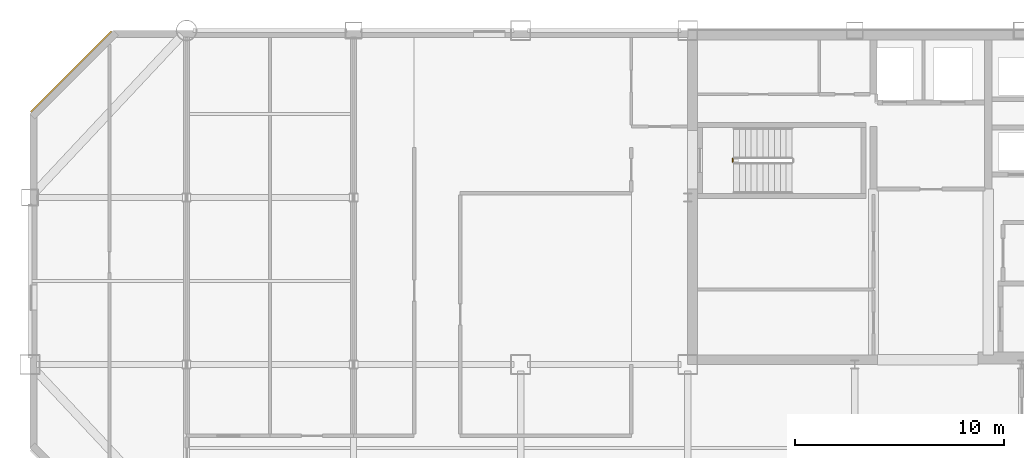
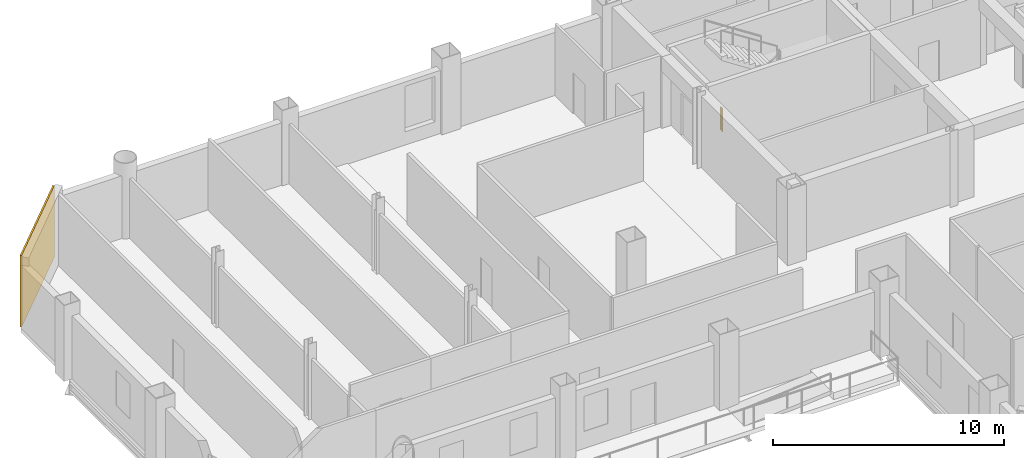
# One storey, part 13 of 14: 1 covering, 1 railing.
"""IFC4 building model written with IfcOpenShell, lengths in metres."""

from ifc_helpers import new_model, si_unit, direction, frame, origin, origin_2d, place, context, subcontext, project, spatial, rectangle, circle, extrude, material, layer, layer_set, type_object, element, save


model = new_model("IFC4")

# Units and contexts
model_context = context("Model", 3, precision=1e-05, world=origin(), true_north=direction((0.0, 1.0)))
body_context = subcontext(model_context, "Body", "Model", "MODEL_VIEW")
ifc_project = project(units=[si_unit("LENGTHUNIT", "METRE"), si_unit("AREAUNIT", "SQUARE_METRE"), si_unit("VOLUMEUNIT", "CUBIC_METRE"), si_unit("PLANEANGLEUNIT", "RADIAN"), si_unit("MASSUNIT", "GRAM", prefix="KILO")], contexts=[model_context])

# Site, building, storey
site_placement = place(None, origin())
site = spatial("IfcSite", under=ifc_project, at=site_placement, CompositionType="ELEMENT")
building_placement = place(site_placement, origin())
building = spatial("IfcBuilding", under=site, at=building_placement, Name="Qianrong Seaharbour Tower", CompositionType="ELEMENT")
storey_placement = place(building_placement, frame((0.0, 0.0, 209.800048828125)))
storey = spatial("IfcBuildingStorey", under=building, at=storey_placement, Name="L50", CompositionType="ELEMENT", Elevation=209.800048828125)

# Covering
ifc_material_1 = material(Name="Unitised red brick cladding on Precast concrete C45/55", Category="masonry")
ifc_layer = layer(ifc_material_1, 0.080078125)
ifc_layer_set = layer_set([ifc_layer], Name="Unitised red brick cladding on Precast concrete C45/55")
covering_type = type_object("IfcCoveringType", Name="COV-CLAD-RED-BRICK-80", PredefinedType="CLADDING", material=ifc_layer_set)
covering_placement = place(storey_placement, frame((10.9716796875, 50.0283203125, 0.0), z_axis=(0.0, 0.0, 1.0), x_axis=(0.707106781187, 0.707106781187, 0.0)))
element("IfcCovering", 1, at=covering_placement, inside=storey, type_object=covering_type, Name="L50 Chamfer Corner Brick Cladding 04", PredefinedType="CLADDING", context=body_context, shape_type="SweptSolid", body=[
    extrude(rectangle(XDim=5.456787109375, YDim=0.080078125, at=origin_2d()), origin(), (0.0, 0.0, 1.0), 3.77490234375),
])

# Railing
ifc_material_2 = material(Name="Galvanized painted steel SN400B stair guard", Category="steel")
railing_type = type_object("IfcRailingType", Name="RAIL-STAIR-GUARD-1220", PredefinedType="GUARDRAIL", material=ifc_material_2)
railing_placement = place(storey_placement, frame((42.64990234375, 45.699951171875, 0.0)))
element("IfcRailing", 2, at=railing_placement, inside=storey, type_object=railing_type, Name="L50 ST-1 stair guard 4", PredefinedType="GUARDRAIL", context=body_context, shape_type="SweptSolid", body=[
    extrude(circle(Radius=0.02392578125, at=origin_2d()), frame((0.0, 0.0, 1.19580078125), z_axis=(0.0, 1.0, 0.0), x_axis=(-1.0, 0.0, 0.0)), (0.0, 0.0, 1.0), 0.150146484375),
    extrude(circle(Radius=0.02099609375, at=origin_2d()), origin(), (0.0, 0.0, 1.0), 1.171875),
    extrude(circle(Radius=0.02099609375, at=origin_2d()), frame((0.0, 0.150146484375, 0.0)), (0.0, 0.0, 1.0), 1.171875),
])

save(model, "model.ifc")
